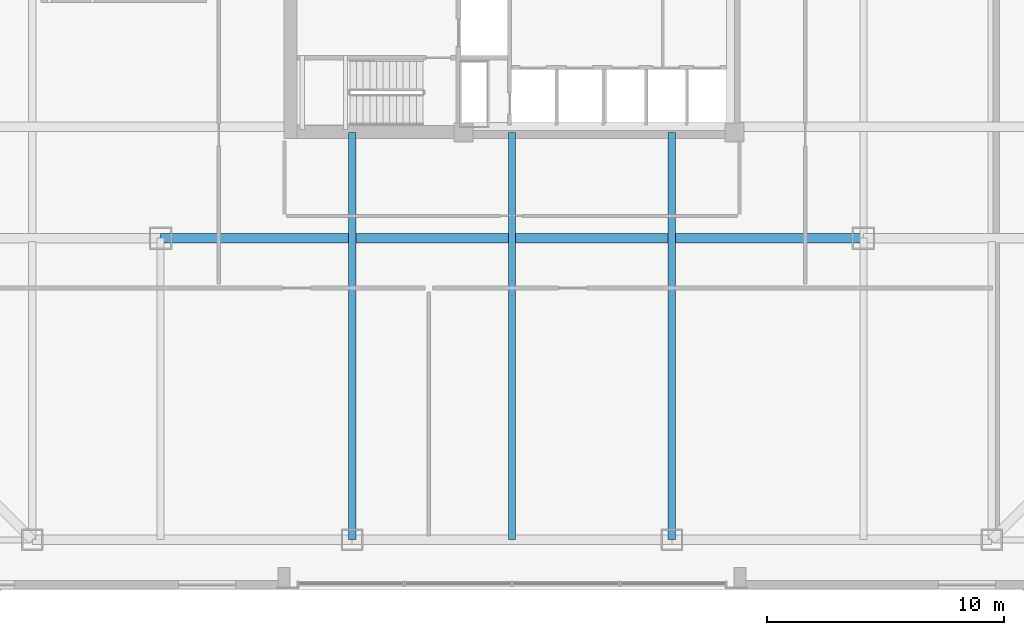
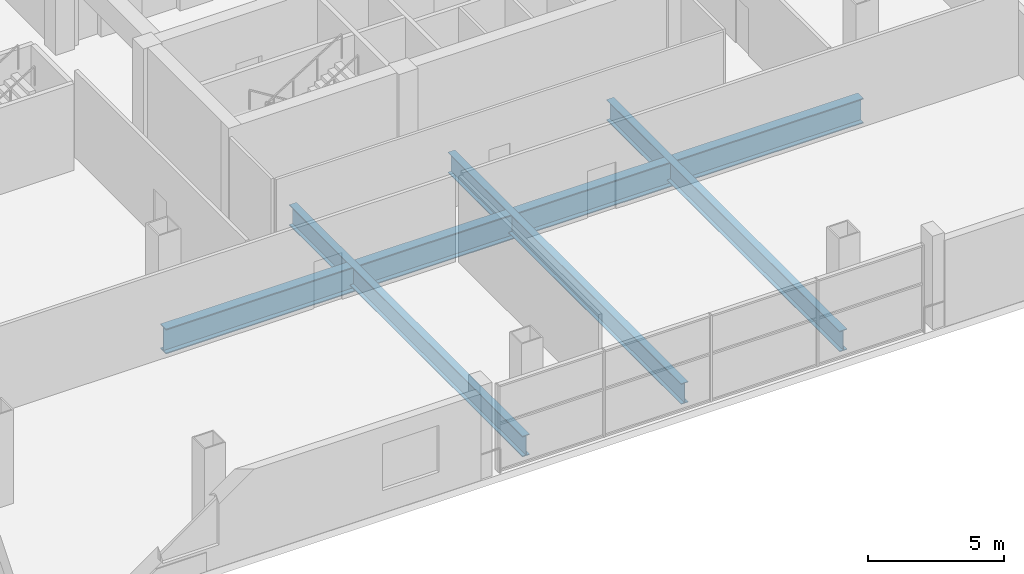
# One storey, part 5 of 21: 4 beams.
"""IFC4 building model written with IfcOpenShell, lengths in metres."""

from ifc_helpers import new_model, si_unit, direction, frame, origin, origin_2d, place, context, subcontext, project, spatial, i_section, extrude, material, material_profile, profile_set, type_object, element, save


model = new_model("IFC4")

# Units and contexts
model_context = context("Model", 3, precision=1e-05, world=origin(), true_north=direction((0.0, 1.0)))
body_context = subcontext(model_context, "Body", "Model", "MODEL_VIEW")
ifc_project = project(units=[si_unit("LENGTHUNIT", "METRE"), si_unit("AREAUNIT", "SQUARE_METRE"), si_unit("VOLUMEUNIT", "CUBIC_METRE"), si_unit("PLANEANGLEUNIT", "RADIAN"), si_unit("MASSUNIT", "GRAM", prefix="KILO")], contexts=[model_context])

# Site, building, storey
site_placement = place(None, origin())
site = spatial("IfcSite", under=ifc_project, at=site_placement, CompositionType="ELEMENT")
building_placement = place(site_placement, origin())
building = spatial("IfcBuilding", under=site, at=building_placement, Name="Qhalaya Broadcast Tower", CompositionType="ELEMENT")
storey_placement = place(building_placement, frame((0.0, 0.0, 5.10009765625)))
storey = spatial("IfcBuildingStorey", under=building, at=storey_placement, Name="L01", CompositionType="ELEMENT", Elevation=5.10009765625)

# Beams
ifc_material = material(Name="Structural Steel ASTM A992 Grade 50", Category="steel")
ifc_material_profile_1 = material_profile(ifc_material, i_section(OverallWidth=0.306884765625, OverallDepth=0.927001953125, WebThickness=0.019287109375, FlangeThickness=0.031982421875, at=origin_2d()), Name="W36X194")
ifc_profile_set_1 = profile_set([ifc_material_profile_1], Name="Structural Steel ASTM A992 Grade 50")
beam_type_1 = type_object("IfcBeamType", Name="Heavy Studio Floor Beam B01", PredefinedType="BEAM", material=ifc_profile_set_1)
for number, where, z_axis, x_axis, name in (
    (1, (-6.7333984375, -25.89990234375, -0.78369140625), (0.0, 1.0, 0.0), (-1.0, 0.0, 0.0), "L01 B01 L01-JS-CS-6.7"),
    (2, (0.0, -25.89990234375, -0.78369140625), (0.0, 1.0, 0.0), (-1.0, 0.0, 0.0), "L01 B01 L01-JS-CS+0.0"),
    (3, (6.7333984375, -25.89990234375, -0.78369140625), (0.0, 1.0, 0.0), (-1.0, 0.0, 0.0), "L01 B01 L01-JS-CS+6.7"),
):
    element("IfcBeam", number, at=place(storey_placement, frame(where, z_axis=z_axis, x_axis=x_axis)), inside=storey, type_object=beam_type_1, Name=name, PredefinedType="BEAM", context=body_context, shape_type="SweptSolid", body=[
        extrude(i_section(OverallWidth=0.306884765625, OverallDepth=0.927001953125, WebThickness=0.019287109375, FlangeThickness=0.031982421875, at=origin_2d()), origin(), (0.0, 0.0, 1.0), 17.14990234375),
    ])
ifc_material_profile_2 = material_profile(ifc_material, i_section(OverallWidth=0.404052734375, OverallDepth=1.117919921875, WebThickness=0.026123046875, FlangeThickness=0.044921875, at=origin_2d()), Name="W44X335")
ifc_profile_set_2 = profile_set([ifc_material_profile_2], Name="Structural Steel ASTM A992 Grade 50")
beam_type_2 = type_object("IfcBeamType", Name="Podium Long-Span Primary Girder PG1", PredefinedType="USERDEFINED", material=ifc_profile_set_2)
beam_placement = place(storey_placement, frame((-14.800048828125, -13.199951171875, -0.879150390625), z_axis=(1.0, 0.0, 0.0), x_axis=(0.0, 1.0, 0.0)))
element("IfcBeam", 4, at=beam_placement, inside=storey, type_object=beam_type_2, Name="L01 PG1 L01-PG-GS3", ObjectType="GIRDER", PredefinedType="USERDEFINED", context=body_context, shape_type="SweptSolid", body=[
    extrude(i_section(OverallWidth=0.404052734375, OverallDepth=1.117919921875, WebThickness=0.026123046875, FlangeThickness=0.044921875, at=origin_2d()), origin(), (0.0, 0.0, 1.0), 29.60009765625),
])

save(model, "model.ifc")
